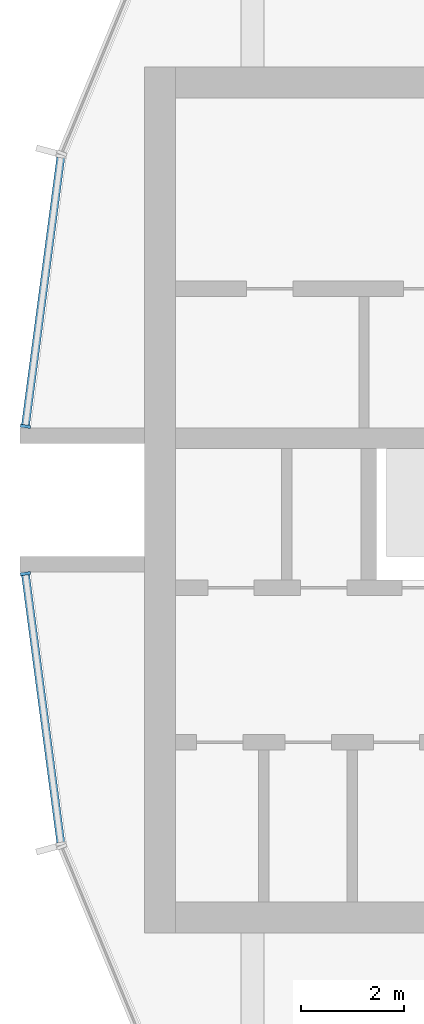
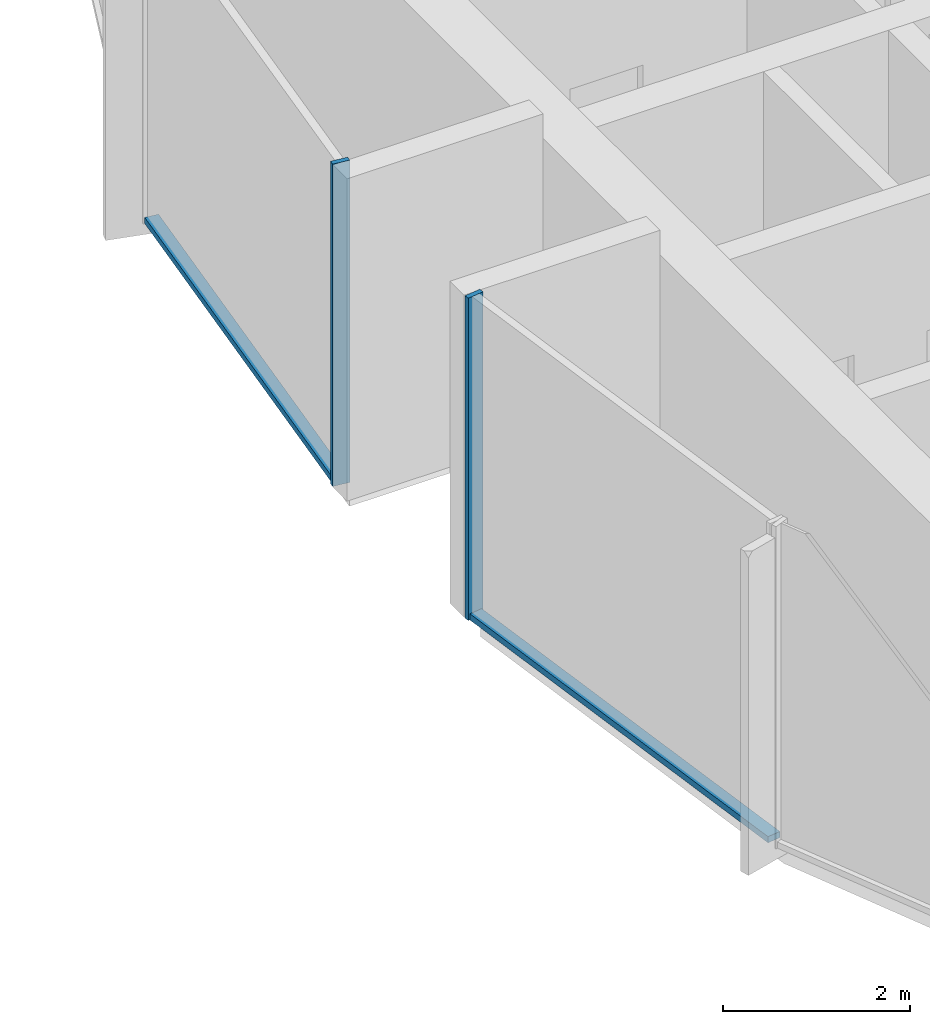
# One storey, part 3 of 15: 4 members, 2 elements without a shape of their own.
"""IFC4 building model written with IfcOpenShell, lengths in metres."""

from ifc_helpers import new_model, si_unit, direction, frame, origin, origin_2d, place, context, subcontext, project, spatial, rectangle, extrude, material, layer, layer_set, material_profile, profile_set, type_object, element, aggregate, save


model = new_model("IFC4")

# Units and contexts
model_context = context("Model", 3, precision=1e-05, world=origin(), true_north=direction((0.0, 1.0)))
body_context = subcontext(model_context, "Body", "Model", "MODEL_VIEW")
ifc_project = project(units=[si_unit("LENGTHUNIT", "METRE"), si_unit("AREAUNIT", "SQUARE_METRE"), si_unit("VOLUMEUNIT", "CUBIC_METRE"), si_unit("PLANEANGLEUNIT", "RADIAN"), si_unit("MASSUNIT", "GRAM", prefix="KILO")], contexts=[model_context])

# Site, building, storey
site_placement = place(None, origin())
site = spatial("IfcSite", under=ifc_project, at=site_placement, CompositionType="ELEMENT")
building_placement = place(site_placement, origin())
building = spatial("IfcBuilding", under=site, at=building_placement, Name="Torre Brocal", CompositionType="ELEMENT")
storey_placement = place(building_placement, frame((0.0, 0.0, 212.5)))
storey = spatial("IfcBuildingStorey", under=building, at=storey_placement, Name="L49", CompositionType="ELEMENT", Elevation=212.5)

# Curtain wall, member
ifc_material_1 = material(Name="Aluminium and glass", Category="aluminium")
ifc_layer = layer(ifc_material_1, 0.199951171875)
ifc_layer_set = layer_set([ifc_layer], Name="Aluminium and glass")
curtain_wall_type = type_object("IfcCurtainWallType", Name="CW-1B CURTAIN WALL 4200 HIGH", PredefinedType="NOTDEFINED", material=ifc_layer_set)
curtain_wall_1_placement = place(storey_placement, origin())
curtain_wall_1 = element("IfcCurtainWall", 1, at=curtain_wall_1_placement, inside=storey, type_object=curtain_wall_type, Name="CW-1B RUN 12", PredefinedType="NOTDEFINED")
ifc_material_2 = material(Name="Aluminium, dark anodised", Category="aluminium")
ifc_material_profile_1 = material_profile(ifc_material_2, rectangle(XDim=0.199951171875, YDim=0.06005859375, at=origin_2d()), Name="CW-1B MULLION 60X200")
ifc_profile_set_1 = profile_set([ifc_material_profile_1], Name="Aluminium, dark anodised")
member_type_1 = type_object("IfcMemberType", Name="CW-1B MULLION 60X200", PredefinedType="MULLION", material=ifc_profile_set_1)
member_1_placement = place(storey_placement, frame((54.2890625, 76.4296875, 0.0), z_axis=(0.0, 0.0, 1.0), x_axis=(0.991444861374, -0.13052619222, 0.0)))
member_1 = element("IfcMember", 2, at=member_1_placement, type_object=member_type_1, Name="CW1B-5 mullion 2", PredefinedType="MULLION", context=body_context, shape_type="SweptSolid", body=[
    extrude(rectangle(XDim=0.199951171875, YDim=0.06005859375, at=origin_2d()), origin(), (0.0, 0.0, 1.0), 4.199951171875),
])

curtain_wall_2_placement = place(storey_placement, origin())
curtain_wall_2 = element("IfcCurtainWall", 3, at=curtain_wall_2_placement, inside=storey, type_object=curtain_wall_type, Name="CW-1B RUN 13", PredefinedType="NOTDEFINED")
member_2_placement = place(storey_placement, frame((54.2890625, 73.5703125, 0.0), z_axis=(0.0, 0.0, 1.0), x_axis=(0.991444861374, 0.13052619222, 0.0)))
member_2 = element("IfcMember", 4, at=member_2_placement, type_object=member_type_1, Name="CW1B-5 mullion 1", PredefinedType="MULLION", context=body_context, shape_type="SweptSolid", body=[
    extrude(rectangle(XDim=0.199951171875, YDim=0.06005859375, at=origin_2d()), origin(), (0.0, 0.0, 1.0), 4.199951171875),
])

# Member
ifc_material_3 = material(Name="Aluminium, dark anodised", Category="aluminium")
ifc_material_profile_2 = material_profile(ifc_material_3, rectangle(XDim=0.159912109375, YDim=0.080078125, at=origin_2d()), Name="CW-1B TRANSOM 160X80")
ifc_profile_set_2 = profile_set([ifc_material_profile_2], Name="Aluminium, dark anodised")
member_type_2 = type_object("IfcMemberType", Name="CW-1B TRANSOM 160X80", PredefinedType="USERDEFINED", material=ifc_profile_set_2)
member_3_placement = place(storey_placement, frame((54.9755859375, 81.643798828125, 0.0400390625), z_axis=(-0.130542677827, -0.991442690863, 0.0), x_axis=(0.991442690863, -0.130542677827, 0.0)))
member_3 = element("IfcMember", 5, at=member_3_placement, type_object=member_type_2, Name="CW1B-5 transom 1.1", ObjectType="TRANSOM", PredefinedType="USERDEFINED", context=body_context, shape_type="SweptSolid", body=[
    extrude(rectangle(XDim=0.159912109375, YDim=0.080078125, at=origin_2d()), origin(), (0.0, 0.0, 1.0), 5.22900390625),
])

aggregate(curtain_wall_1, [member_1, member_3])

member_4_placement = place(storey_placement, frame((54.29296875, 73.54052734375, 0.0400390625), z_axis=(0.130542677827, -0.991442690863, 0.0), x_axis=(0.991442690863, 0.130542677827, 0.0)))
member_4 = element("IfcMember", 6, at=member_4_placement, type_object=member_type_2, Name="CW1B-5 transom 1.1", ObjectType="TRANSOM", PredefinedType="USERDEFINED", context=body_context, shape_type="SweptSolid", body=[
    extrude(rectangle(XDim=0.159912109375, YDim=0.080078125, at=origin_2d()), origin(), (0.0, 0.0, 1.0), 5.22900390625),
])

aggregate(curtain_wall_2, [member_2, member_4])

save(model, "model.ifc")
